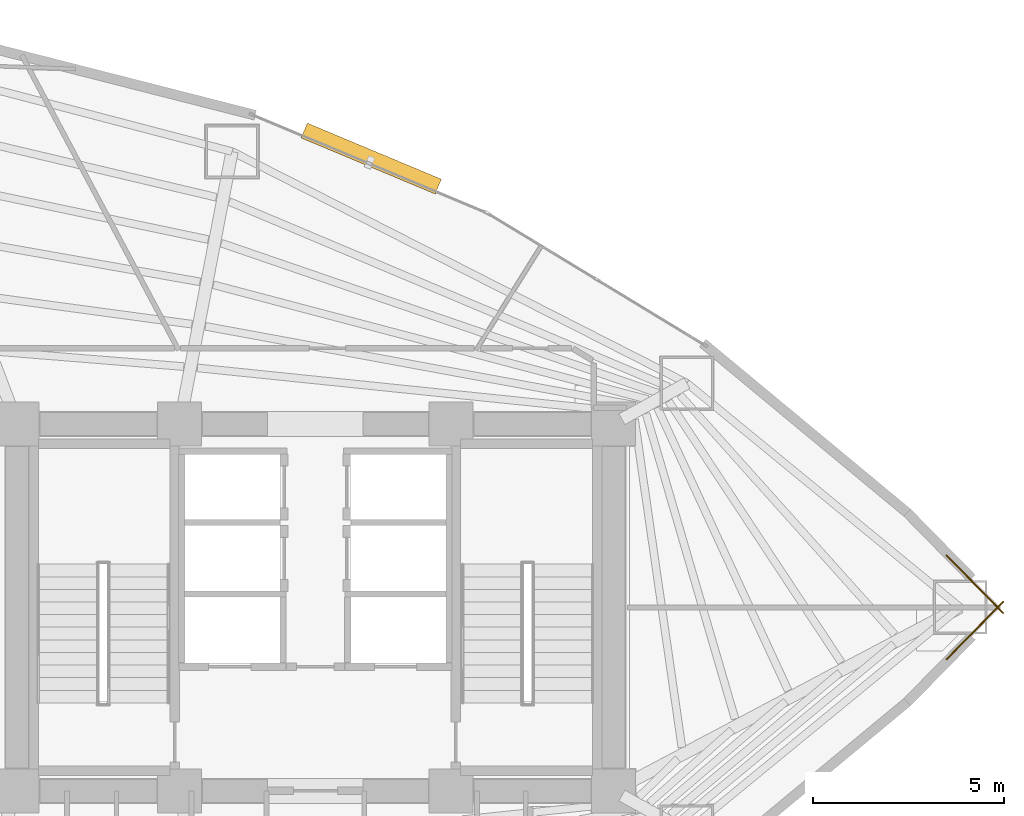
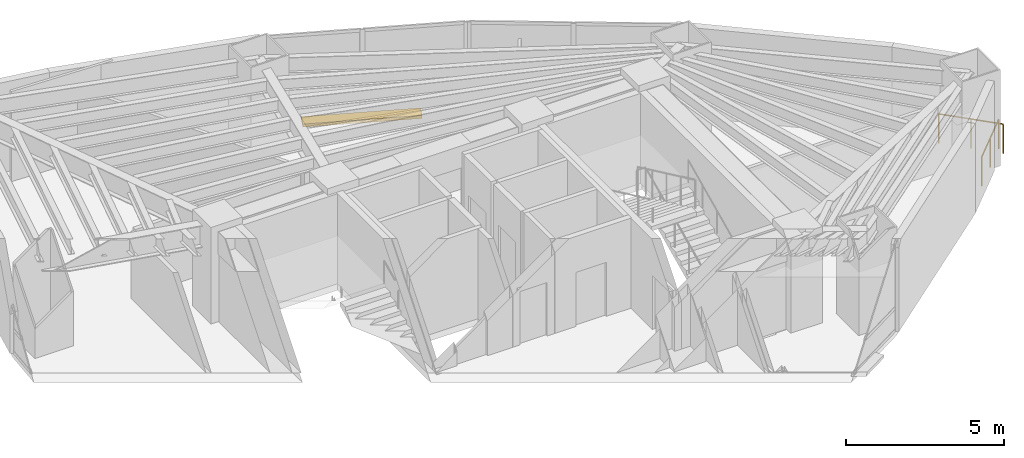
# One storey, part 18 of 18: 2 railings, 1 shading device.
"""IFC4 building model written with IfcOpenShell, lengths in metres."""

from ifc_helpers import new_model, si_unit, direction, frame, origin, origin_2d, place, context, subcontext, project, spatial, rectangle, circle, extrude, material, layer, layer_set, type_object, element, save


model = new_model("IFC4")

# Units and contexts
model_context = context("Model", 3, precision=1e-05, world=origin(), true_north=direction((0.0, 1.0)))
body_context = subcontext(model_context, "Body", "Model", "MODEL_VIEW")
ifc_project = project(units=[si_unit("LENGTHUNIT", "METRE"), si_unit("AREAUNIT", "SQUARE_METRE"), si_unit("VOLUMEUNIT", "CUBIC_METRE"), si_unit("PLANEANGLEUNIT", "RADIAN"), si_unit("MASSUNIT", "GRAM", prefix="KILO")], contexts=[model_context])

# Site, building, storey
site_placement = place(None, origin())
site = spatial("IfcSite", under=ifc_project, at=site_placement, CompositionType="ELEMENT")
building_placement = place(site_placement, origin())
building = spatial("IfcBuilding", under=site, at=building_placement, Name="Menara Vayukalpa", CompositionType="ELEMENT")
storey_placement = place(building_placement, frame((0.0, 0.0, 31.320068359375)))
storey = spatial("IfcBuildingStorey", under=building, at=storey_placement, Name="L06", CompositionType="ELEMENT", Elevation=31.320068359375)

# Railings
ifc_material_1 = material(Name="Laminated Glass and Stainless Steel 316 Guardrail", Category="steel")
railing_type = type_object("IfcRailingType", Name="RLG-EXT115", PredefinedType="GUARDRAIL", material=ifc_material_1)
railing_1_placement = place(storey_placement, frame((42.10888671875, 20.6396484375, 0.0)))
element("IfcRailing", 1, at=railing_1_placement, inside=storey, type_object=railing_type, Name="L06 Column Corner Spandrel Guardrail 01-1", PredefinedType="GUARDRAIL", context=body_context, shape_type="SweptSolid", body=[
    extrude(circle(Radius=0.02392578125, at=origin_2d()), frame((0.0, 0.0, 1.1259765625), z_axis=(0.700673401428, 0.713482154319, 0.0), x_axis=(-0.713482154319, 0.700673401428, 0.0)), (0.0, 0.0, 1.0), 2.11572265625),
    extrude(circle(Radius=0.02099609375, at=origin_2d()), origin(), (0.0, 0.0, 1.0), 1.101806640625),
    extrude(circle(Radius=0.02099609375, at=origin_2d()), frame((0.7412109375, 0.7548828125, 0.0)), (0.0, 0.0, 1.0), 1.101806640625),
    extrude(circle(Radius=0.02099609375, at=origin_2d()), frame((1.482421875, 1.509521484375, 0.0)), (0.0, 0.0, 1.0), 1.101806640625),
])
railing_2_placement = place(storey_placement, frame((43.59130859375, 21.850830078125, 0.0)))
element("IfcRailing", 2, at=railing_2_placement, inside=storey, type_object=railing_type, Name="L06 Column Corner Spandrel Guardrail 02-1", PredefinedType="GUARDRAIL", context=body_context, shape_type="SweptSolid", body=[
    extrude(circle(Radius=0.02392578125, at=origin_2d()), frame((0.0, 0.0, 1.1259765625), z_axis=(-0.700673401428, 0.713482154319, 0.0), x_axis=(-0.713482154319, -0.700673401428, 0.0)), (0.0, 0.0, 1.0), 2.11572265625),
    extrude(circle(Radius=0.02099609375, at=origin_2d()), origin(), (0.0, 0.0, 1.0), 1.101806640625),
    extrude(circle(Radius=0.02099609375, at=origin_2d()), frame((-0.7412109375, 0.7548828125, 0.0)), (0.0, 0.0, 1.0), 1.101806640625),
    extrude(circle(Radius=0.02099609375, at=origin_2d()), frame((-1.482421875, 1.509521484375, 0.0)), (0.0, 0.0, 1.0), 1.101806640625),
])

# Shading device
ifc_material_2 = material(Name="Glazed Terracotta Ceramic Baguette Extrusion", Category="masonry")
ifc_layer = layer(ifc_material_2, 0.1201171875)
ifc_layer_set = layer_set([ifc_layer], Name="Glazed Terracotta Ceramic Baguette Extrusion")
shading_device_type = type_object("IfcShadingDeviceType", Name="SHD-SS1", PredefinedType="USERDEFINED", material=ifc_layer_set)
shading_device_placement = place(storey_placement, frame((27.060791015625, 33.740478515625, -0.10009765625), z_axis=(0.0, 0.0, 1.0), x_axis=(-0.922544824647, 0.385889940938, 0.0)))
element("IfcShadingDevice", 3, at=shading_device_placement, inside=storey, type_object=shading_device_type, Name="L06 Horizontal Terracotta Sunshade Band 05", ObjectType="SUNSHADE", PredefinedType="USERDEFINED", context=body_context, shape_type="SweptSolid", body=[
    extrude(rectangle(XDim=3.800048828125, YDim=0.419921875, at=origin_2d()), origin(), (0.0, 0.0, 1.0), 0.1201171875),
])

save(model, "model.ifc")
